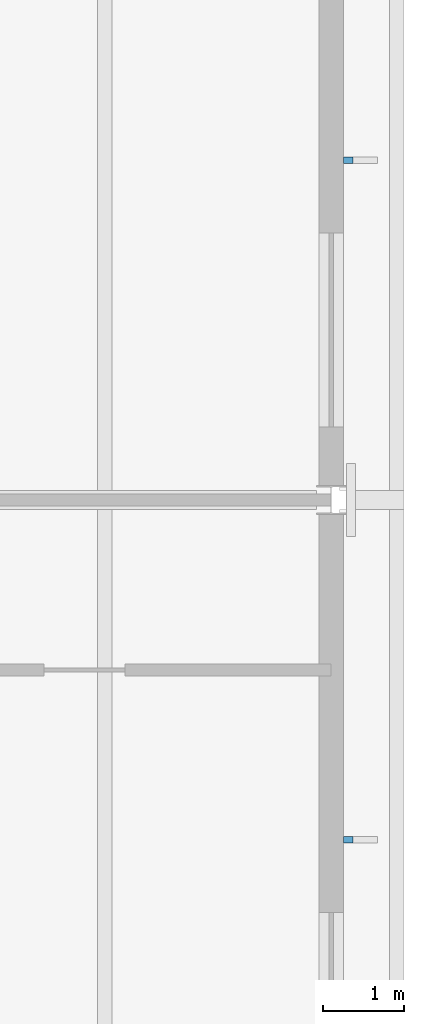
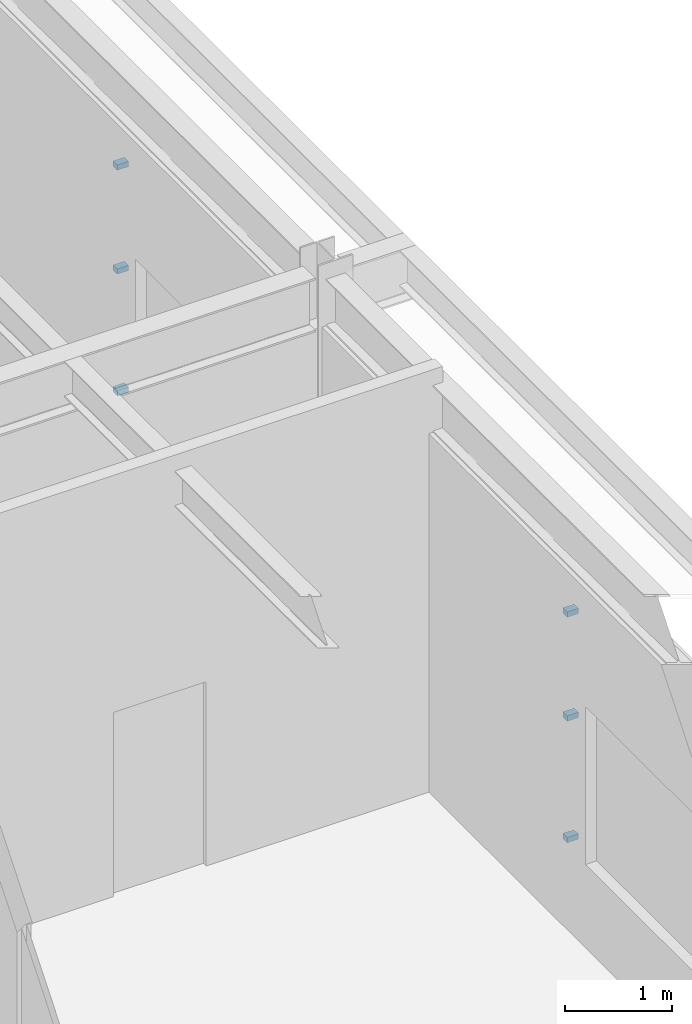
# One storey, part 91 of 116: 6 discrete accessories.
"""IFC4 building model written with IfcOpenShell, lengths in metres."""

from ifc_helpers import new_model, si_unit, direction, frame, origin, origin_2d, place, context, subcontext, project, spatial, rectangle, extrude, material, type_object, element, save


model = new_model("IFC4")

# Units and contexts
model_context = context("Model", 3, precision=1e-05, world=origin(), true_north=direction((0.0, 1.0)))
body_context = subcontext(model_context, "Body", "Model", "MODEL_VIEW")
ifc_project = project(units=[si_unit("LENGTHUNIT", "METRE"), si_unit("AREAUNIT", "SQUARE_METRE"), si_unit("VOLUMEUNIT", "CUBIC_METRE"), si_unit("PLANEANGLEUNIT", "RADIAN"), si_unit("MASSUNIT", "GRAM", prefix="KILO")], contexts=[model_context])

# Site, building, storey
site_placement = place(None, origin())
site = spatial("IfcSite", under=ifc_project, at=site_placement, CompositionType="ELEMENT")
building_placement = place(site_placement, origin())
building = spatial("IfcBuilding", under=site, at=building_placement, Name="Ljudholm Concert House", CompositionType="ELEMENT")
storey_placement = place(building_placement, frame((0.0, 0.0, 10.199951171875)))
storey = spatial("IfcBuildingStorey", under=building, at=storey_placement, Name="L02", CompositionType="ELEMENT", Elevation=10.199951171875)

# Discrete accessories
ifc_material = material(Name="Stainless steel bracket", Category="steel")
discrete_accessory_type = type_object("IfcDiscreteAccessoryType", Name="BRACKET 120", PredefinedType="BRACKET", material=ifc_material)
for number, where, z_axis, x_axis, name in (
    (1, (121.81005859375, 41.800048828125, 0.570068359375), (0.0, 0.0, 1.0), (1.0, 0.0, 0.0), "Fin bracket"),
    (2, (121.81005859375, 41.800048828125, 1.955078125), (0.0, 0.0, 1.0), (1.0, 0.0, 0.0), "Fin bracket"),
    (3, (121.81005859375, 41.800048828125, 3.14013671875), (0.0, 0.0, 1.0), (1.0, 0.0, 0.0), "Fin bracket"),
    (4, (121.81005859375, 50.199951171875, 0.570068359375), (0.0, 0.0, 1.0), (1.0, 0.0, 0.0), "Fin bracket"),
    (5, (121.81005859375, 50.199951171875, 1.955078125), (0.0, 0.0, 1.0), (1.0, 0.0, 0.0), "Fin bracket"),
    (6, (121.81005859375, 50.199951171875, 3.14013671875), (0.0, 0.0, 1.0), (1.0, 0.0, 0.0), "Fin bracket"),
):
    element("IfcDiscreteAccessory", number, at=place(storey_placement, frame(where, z_axis=z_axis, x_axis=x_axis)), inside=storey, type_object=discrete_accessory_type, Name=name, PredefinedType="BRACKET", context=body_context, shape_type="SweptSolid", body=[
        extrude(rectangle(XDim=0.1201171875, YDim=0.080078125, at=origin_2d()), origin(), (0.0, 0.0, 1.0), 0.06005859375),
    ])

save(model, "model.ifc")
